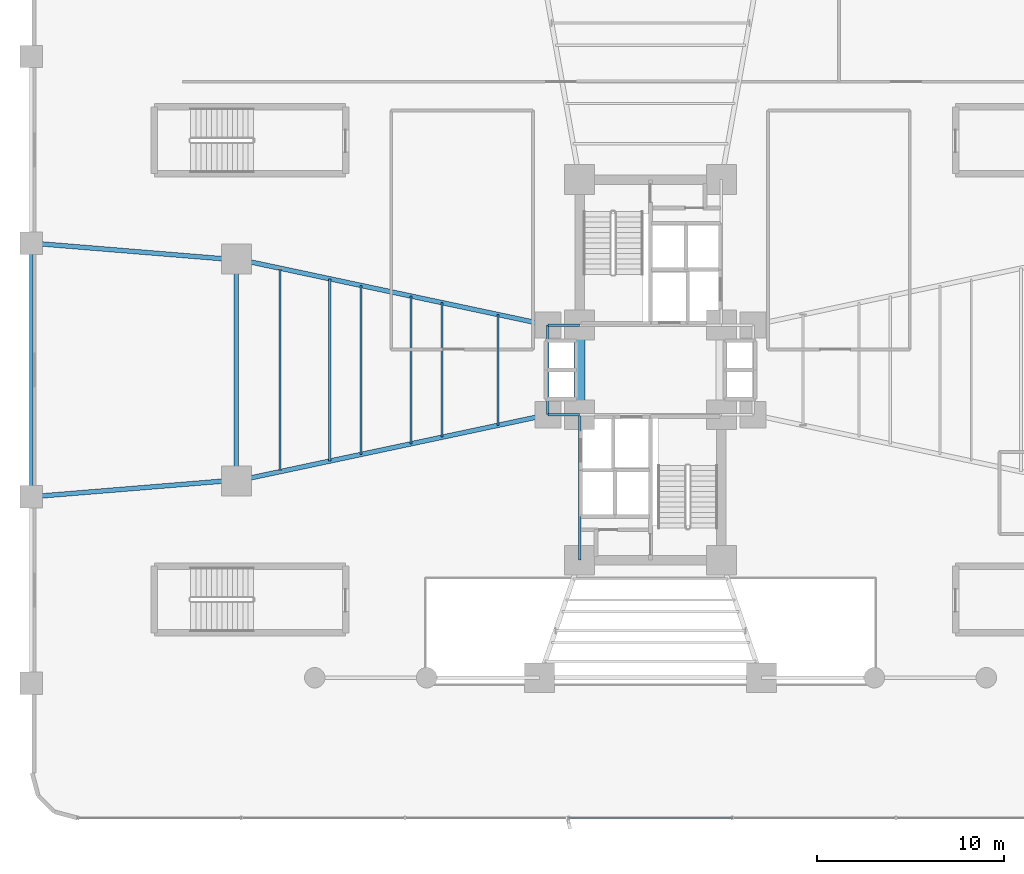
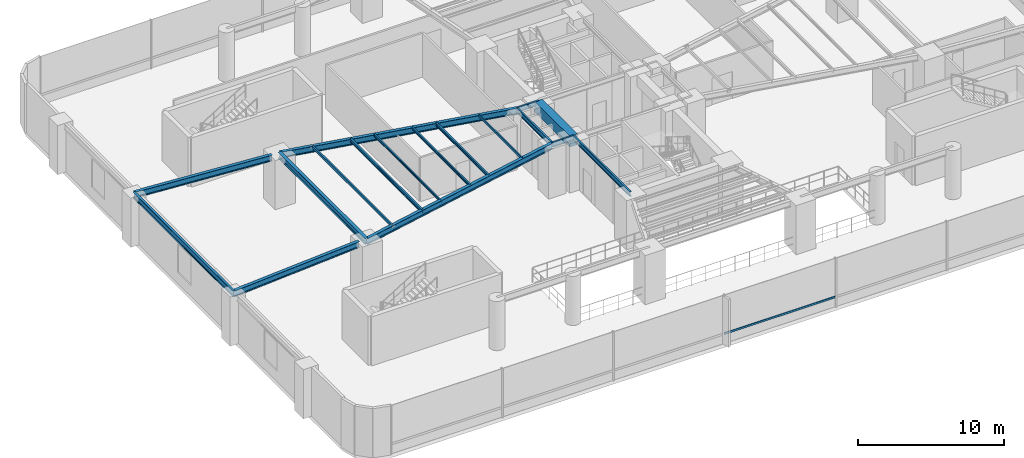
# One storey, part 5 of 23: 17 beams, 1 member, 1 element without a shape of its own.
"""IFC4 building model written with IfcOpenShell, lengths in metres."""

import ifcopenshell
import ifcopenshell.guid

model = None  # the IFC model being written
_history = None  # IfcOwnerHistory: only IFC2X3 demands one
_inside = {}  # id of a spatial element -> (the spatial element, [elements in it])
_under = {}  # id of a project, library or spatial element -> (it, [spatial elements below it])
_declared = {}  # id of a project -> (the project, [libraries it declares])
_typed = {}  # id of a type object -> (the type object, [elements of that type])
_made_of = {}  # id of a material, layer set ... -> (it, [elements and type objects made of it])


def new_model(schema):
    """Start an empty IFC model of exactly this schema.

    Asked for "IFC4X3", IfcOpenShell would pick the latest addendum, in which some entities
    have other attributes; the version numbers below select the first issue.
    IFC2X3 requires an IfcOwnerHistory on every rooted entity: one is made here for all.
    """
    global model, _history
    if schema == "IFC4X3":
        model = ifcopenshell.file(schema_version=(4, 3, 0, 0))
    else:
        model = ifcopenshell.file(schema=schema)
    _inside.clear()
    _under.clear()
    _declared.clear()
    _typed.clear()
    _made_of.clear()
    _history = None
    if model.schema == "IFC2X3":
        org = make("IfcOrganization", Name="unknown")
        user = make(
            "IfcPersonAndOrganization",
            ThePerson=make("IfcPerson", FamilyName="unknown"),
            TheOrganization=org,
        )
        app = make(
            "IfcApplication",
            ApplicationDeveloper=org,
            Version="unknown",
            ApplicationFullName="unknown",
            ApplicationIdentifier="unknown",
        )
        _history = make(
            "IfcOwnerHistory",
            OwningUser=user,
            OwningApplication=app,
            ChangeAction="ADDED",
            CreationDate=0,
        )
    return model


def make(cls, **values):
    """One entity of the class cls with the attributes given. An attribute that is None is left unset."""
    return model.create_entity(
        cls, **{name: value for name, value in values.items() if value is not None}
    )


def rooted(cls, **values):
    """An entity with a GlobalId (a new one), such as an element, a storey or a relation."""
    return make(cls, GlobalId=ifcopenshell.guid.new(), OwnerHistory=_history, **values)


def si_unit(unit_type, name, prefix=None):
    """IfcSIUnit, for example si_unit("LENGTHUNIT", "METRE", prefix="MILLI")."""
    return make("IfcSIUnit", UnitType=unit_type, Prefix=prefix, Name=name)


def assignment(units):
    """IfcUnitAssignment: the units of a project."""
    return None if units is None else make("IfcUnitAssignment", Units=units)


def point(xyz):
    """IfcCartesianPoint."""
    return None if xyz is None else make("IfcCartesianPoint", Coordinates=xyz)


def direction(xyz):
    """IfcDirection."""
    return None if xyz is None else make("IfcDirection", DirectionRatios=xyz)


def frame(location, z_axis=None, x_axis=None):
    """IfcAxis2Placement3D, a coordinate frame: its origin and axes. An axis left out is left unset."""
    return make(
        "IfcAxis2Placement3D",
        Location=point(location),
        Axis=direction(z_axis),
        RefDirection=direction(x_axis),
    )


def frame_2d(location, x_axis=None):
    """IfcAxis2Placement2D, a coordinate frame in the plane: its origin and x axis."""
    return make(
        "IfcAxis2Placement2D", Location=point(location), RefDirection=direction(x_axis)
    )


def origin():
    """The frame at (0, 0, 0) with its axes left unset."""
    return frame((0.0, 0.0, 0.0))


def origin_2d():
    """The frame at (0, 0) in the plane with its x axis left unset."""
    return frame_2d((0.0, 0.0))


def place(relative_to, where):
    """IfcLocalPlacement: puts the frame where relative to a parent placement (None: the world)."""
    return make(
        "IfcLocalPlacement", PlacementRelTo=relative_to, RelativePlacement=where
    )


def context(
    kind, dimensions, precision=None, world=None, true_north=None, identifier=None
):
    """IfcGeometricRepresentationContext, for example the 3D "Model" context."""
    return make(
        "IfcGeometricRepresentationContext",
        ContextIdentifier=identifier,
        ContextType=kind,
        CoordinateSpaceDimension=dimensions,
        Precision=precision,
        WorldCoordinateSystem=world,
        TrueNorth=true_north,
    )


def subcontext(parent, identifier, kind, view, scale=None):
    """IfcGeometricRepresentationSubContext, for example "Body" below "Model"."""
    return make(
        "IfcGeometricRepresentationSubContext",
        ContextIdentifier=identifier,
        ContextType=kind,
        ParentContext=parent,
        TargetScale=scale,
        TargetView=view,
    )


def project(units=None, contexts=None):
    """IfcProject with its units and contexts."""
    return rooted(
        "IfcProject",
        Name="project",
        RepresentationContexts=contexts,
        UnitsInContext=assignment(units),
    )


def spatial(cls, under=None, at=None, **own):
    """A site, building, storey or space (cls), placed at a placement, below another one or the project."""
    s = rooted(cls, ObjectPlacement=at, **own)
    if under is not None:
        _under.setdefault(under.id(), (under, []))[1].append(s)
    return s


def profile(cls, at=None, kind="AREA", **sizes):
    """A parametric profile (cls). Its sizes go by their IFC names, for example OverallWidth=200.0."""
    return make(cls, ProfileType=kind, Position=at, **sizes)


def rectangle(**sizes):
    """IfcRectangleProfileDef."""
    return profile("IfcRectangleProfileDef", **sizes)


def hollow_rectangle(**sizes):
    """IfcRectangleHollowProfileDef."""
    return profile("IfcRectangleHollowProfileDef", **sizes)


def i_section(**sizes):
    """IfcIShapeProfileDef."""
    return profile("IfcIShapeProfileDef", **sizes)


def extrude(swept, where, along, depth):
    """IfcExtrudedAreaSolid: the profile swept, set in the frame where, extruded along a direction by depth."""
    return make(
        "IfcExtrudedAreaSolid",
        SweptArea=swept,
        Position=where,
        ExtrudedDirection=direction(along),
        Depth=depth,
    )


def shape(context_of_items, identifier, shape_type, items):
    """IfcShapeRepresentation: the items that make up one representation, for example the "Body"."""
    return make(
        "IfcShapeRepresentation",
        ContextOfItems=context_of_items,
        RepresentationIdentifier=identifier,
        RepresentationType=shape_type,
        Items=items,
    )


def source(mapping_origin, context_of_items, identifier, shape_type, items):
    """IfcRepresentationMap: a shape defined once, which mapped items show again and again."""
    return make(
        "IfcRepresentationMap",
        MappingOrigin=mapping_origin,
        MappedRepresentation=shape(context_of_items, identifier, shape_type, items),
    )


def transform(
    local_origin,
    x_axis=None,
    y_axis=None,
    z_axis=None,
    scale=None,
    scale2=None,
    scale3=None,
    uniform=True,
):
    """IfcCartesianTransformationOperator3D, or its non-uniform kind. x_axis, y_axis, z_axis: its Axis1, 2, 3."""
    if uniform:
        return make(
            "IfcCartesianTransformationOperator3D",
            Axis1=direction(x_axis),
            Axis2=direction(y_axis),
            LocalOrigin=point(local_origin),
            Scale=scale,
            Axis3=direction(z_axis),
        )
    return make(
        "IfcCartesianTransformationOperator3DnonUniform",
        Axis1=direction(x_axis),
        Axis2=direction(y_axis),
        LocalOrigin=point(local_origin),
        Scale=scale,
        Axis3=direction(z_axis),
        Scale2=scale2,
        Scale3=scale3,
    )


def mapped(mapping_source, mapping_target):
    """IfcMappedItem: shows the shape of a source again, moved by a transform."""
    return make(
        "IfcMappedItem", MappingSource=mapping_source, MappingTarget=mapping_target
    )


def material(Name=None, Category=None):
    """IfcMaterial."""
    return make("IfcMaterial", Name=Name, Category=Category)


def material_profile(
    of_material, cross_section, Name=None, Category=None, Priority=None
):
    """IfcMaterialProfile: a cross section and its material."""
    return make(
        "IfcMaterialProfile",
        Name=Name,
        Material=of_material,
        Profile=cross_section,
        Priority=Priority,
        Category=Category,
    )


def profile_set(profiles, Name=None, composite=None):
    """IfcMaterialProfileSet."""
    return make(
        "IfcMaterialProfileSet",
        Name=Name,
        MaterialProfiles=profiles,
        CompositeProfile=composite,
    )


def made_of(thing, what):
    """Note that an element or type object is made of a material, layer set ...; save() writes the relation."""
    if what is not None:
        _made_of.setdefault(what.id(), (what, []))[1].append(thing)
    return thing


def type_object(cls, material=None, **own):
    """A type object (cls), such as IfcWallType, which elements share."""
    return made_of(rooted(cls, **own), material)


def element(
    cls,
    number,
    at=None,
    inside=None,
    cuts=None,
    type_object=None,
    material=None,
    context=None,
    identifier="Body",
    shape_type=None,
    held_by="IfcProductDefinitionShape",
    body=None,
    shapes=None,
    **own,
):
    """One element of the class cls, such as IfcWall. Its Tag is "e" and its number.

    at: its placement. inside: the storey or other place that contains it. cuts: it is an
    opening in that element (IfcRelVoidsElement). A single representation is given by context,
    identifier, shape_type and body (its items); several are given by shapes. held_by: the class
    of the entity that holds the representations. save() writes the other relations.
    """
    e = rooted(cls, Tag="e%d" % number, ObjectPlacement=at, **own)
    if body is not None:
        shapes = [shape(context, identifier, shape_type, body)]
    if shapes is not None:
        e.Representation = make(held_by, Representations=shapes)
    if inside is not None:
        _inside.setdefault(inside.id(), (inside, []))[1].append(e)
    if cuts is not None:
        rooted(
            "IfcRelVoidsElement", RelatingBuildingElement=cuts, RelatedOpeningElement=e
        )
    if type_object is not None:
        _typed.setdefault(type_object.id(), (type_object, []))[1].append(e)
    return made_of(e, material)


def aggregate(whole, parts):
    """IfcRelAggregates: a whole, such as a stair, and the parts it consists of."""
    return rooted("IfcRelAggregates", RelatingObject=whole, RelatedObjects=parts)


def save(model, path):
    """Write the relations noted so far, then the file.

    IfcRelAggregates (storeys below a building ...), IfcRelContainedInSpatialStructure (elements
    in a storey), IfcRelDefinesByType, IfcRelAssociatesMaterial and IfcRelDeclares: one each for
    every whole, place, type object, material and project.
    """
    for whole, parts in _under.values():
        aggregate(whole, parts)
    for where, things in _inside.values():
        rooted(
            "IfcRelContainedInSpatialStructure",
            RelatedElements=things,
            RelatingStructure=where,
        )
    for kind, things in _typed.values():
        rooted("IfcRelDefinesByType", RelatedObjects=things, RelatingType=kind)
    for what, things in _made_of.values():
        rooted("IfcRelAssociatesMaterial", RelatedObjects=things, RelatingMaterial=what)
    for by, libraries in _declared.values():
        rooted("IfcRelDeclares", RelatingContext=by, RelatedDefinitions=libraries)
    model.write(path)


model = new_model("IFC4")

# Units and contexts
model_context = context("Model", 3, precision=1e-05, world=origin(), true_north=direction((0.0, 1.0)))
body_context = subcontext(model_context, "Body", "Model", "MODEL_VIEW")
ifc_project = project(units=[si_unit("LENGTHUNIT", "METRE"), si_unit("AREAUNIT", "SQUARE_METRE"), si_unit("VOLUMEUNIT", "CUBIC_METRE"), si_unit("PLANEANGLEUNIT", "RADIAN"), si_unit("MASSUNIT", "GRAM", prefix="KILO")], contexts=[model_context])

# Site, building, storey
site_placement = place(None, origin())
site = spatial("IfcSite", under=ifc_project, at=site_placement, CompositionType="ELEMENT")
building_placement = place(site_placement, origin())
building = spatial("IfcBuilding", under=site, at=building_placement, Name="Sahyath Konkavel Grand Hotel", CompositionType="ELEMENT")
storey_placement = place(building_placement, frame((0.0, 0.0, 4.800048828125)))
storey = spatial("IfcBuildingStorey", under=building, at=storey_placement, Name="L01", CompositionType="ELEMENT", Elevation=4.800048828125)

# Beams
ifc_material_1 = material(Name="Concrete C70/85", Category="concrete")
ifc_material_profile_1 = material_profile(ifc_material_1, rectangle(XDim=0.60009765625, YDim=0.89990234375, at=origin_2d()), Name="RC 600x900")
ifc_profile_set_1 = profile_set([ifc_material_profile_1], Name="Concrete C70/85")
beam_type_1 = type_object("IfcBeamType", Name="BM-CB600x900", PredefinedType="LINTEL", material=ifc_profile_set_1)
shared_shape_1 = source(origin(), body_context, "Body", "SweptSolid", [
    extrude(rectangle(XDim=0.60009765625, YDim=0.89990234375, at=origin_2d()), origin(), (0.0, 0.0, 1.0), 4.7998046875),
])
beam_1_placement = place(storey_placement, frame((-3.800048828125, -2.39990234375, 3.64990234375), z_axis=(0.0, 1.0, 0.0), x_axis=(-1.0, 0.0, 0.0)))
element("IfcBeam", 1, at=beam_1_placement, inside=storey, type_object=beam_type_1, Name="L01 Split-Core Coupling Beam West", PredefinedType="LINTEL", context=body_context, shape_type="MappedRepresentation", body=[
    mapped(shared_shape_1, transform((0.0, 0.0, 0.0), scale=1.0)),
])
ifc_material_2 = material(Name="Steel E350", Category="steel")
ifc_material_profile_2 = material_profile(ifc_material_2, i_section(OverallWidth=0.139892578125, OverallDepth=0.39990234375, WebThickness=0.0087890625, FlangeThickness=0.01611328125, FilletRadius=0.013916015625, at=origin_2d()), Name="ISMB 400")
ifc_profile_set_2 = profile_set([ifc_material_profile_2], Name="Steel E350")
beam_type_2 = type_object("IfcBeamType", Name="BM-ISMB400", PredefinedType="BEAM", material=ifc_profile_set_2)
shared_shape_2 = source(origin(), body_context, "Body", "SweptSolid", [
    extrude(i_section(OverallWidth=0.139892578125, OverallDepth=0.39990234375, WebThickness=0.0087890625, FlangeThickness=0.01611328125, FilletRadius=0.013916015625, at=origin_2d()), origin(), (0.0, 0.0, 1.0), 7.800048828125),
])
beam_2_placement = place(storey_placement, frame((-3.800048828125, -10.199951171875, 3.89990234375), z_axis=(0.0, 1.0, 0.0), x_axis=(-1.0, 0.0, 0.0)))
element("IfcBeam", 2, at=beam_2_placement, inside=storey, type_object=beam_type_2, Name="str:bm:L01:SC-W", PredefinedType="BEAM", context=body_context, shape_type="MappedRepresentation", body=[
    mapped(shared_shape_2, transform((0.0, 0.0, 0.0), scale=1.0)),
])
shared_shape_3 = source(origin(), body_context, "Body", "SweptSolid", [
    extrude(i_section(OverallWidth=0.139892578125, OverallDepth=0.39990234375, WebThickness=0.0087890625, FlangeThickness=0.01611328125, FilletRadius=0.013916015625, at=origin_2d()), origin(), (0.0, 0.0, 1.0), 1.699951171875),
])
for number, where, z_axis, x_axis, name in (
    (3, (-5.5, 2.39990234375, 3.89990234375), (1.0, 0.0, 0.0), (0.0, 1.0, 0.0), "str:bm:L01:HB-NW"),
    (4, (-5.5, -2.39990234375, 3.89990234375), (1.0, 0.0, 0.0), (0.0, 1.0, 0.0), "str:bm:L01:HB-SW"),
):
    element("IfcBeam", number, at=place(storey_placement, frame(where, z_axis=z_axis, x_axis=x_axis)), inside=storey, type_object=beam_type_2, Name=name, PredefinedType="BEAM", context=body_context, shape_type="MappedRepresentation", body=[
        mapped(shared_shape_3, transform((0.0, 0.0, 0.0), scale=1.0)),
    ])
shared_shape_4 = source(origin(), body_context, "Body", "SweptSolid", [
    extrude(i_section(OverallWidth=0.139892578125, OverallDepth=0.39990234375, WebThickness=0.0087890625, FlangeThickness=0.01611328125, FilletRadius=0.013916015625, at=origin_2d()), origin(), (0.0, 0.0, 1.0), 4.7998046875),
])
beam_3_placement = place(storey_placement, frame((-5.5, -2.39990234375, 3.89990234375), z_axis=(0.0, 1.0, 0.0), x_axis=(-1.0, 0.0, 0.0)))
element("IfcBeam", 5, at=beam_3_placement, inside=storey, type_object=beam_type_2, Name="str:bm:L01:HB-W", PredefinedType="BEAM", context=body_context, shape_type="MappedRepresentation", body=[
    mapped(shared_shape_4, transform((0.0, 0.0, 0.0), scale=1.0)),
])
ifc_material_profile_3 = material_profile(ifc_material_2, i_section(OverallWidth=0.25, OverallDepth=0.5, WebThickness=0.010009765625, FlangeThickness=0.0146484375, FilletRadius=0.014892578125, at=origin_2d()), Name="ISWB 500")
ifc_profile_set_3 = profile_set([ifc_material_profile_3], Name="Steel E350")
beam_type_3 = type_object("IfcBeamType", Name="BM-ISWB500", PredefinedType="BEAM", material=ifc_profile_set_3)
shared_shape_5 = source(origin(), body_context, "Body", "SweptSolid", [
    extrude(i_section(OverallWidth=0.25, OverallDepth=0.5, WebThickness=0.010009765625, FlangeThickness=0.0146484375, FilletRadius=0.014892578125, at=origin_2d()), origin(), (0.0, 0.0, 1.0), 17.072998046875),
])
for number, where, z_axis, x_axis, name in (
    (6, (-5.5, 2.39990234375, 3.849853515625), (-0.978143257225, 0.20793212437, 0.0), (-0.20793212437, -0.978143257225, 0.0), "L01 Podium Primary Girder WA"),
    (7, (-5.5, -2.39990234375, 3.849853515625), (-0.978143257225, -0.20793212437, 0.0), (0.20793212437, -0.978143257225, 0.0), "L01 Podium Primary Girder WB"),
):
    element("IfcBeam", number, at=place(storey_placement, frame(where, z_axis=z_axis, x_axis=x_axis)), inside=storey, type_object=beam_type_3, Name=name, PredefinedType="BEAM", context=body_context, shape_type="MappedRepresentation", body=[
        mapped(shared_shape_5, transform((0.0, 0.0, 0.0), scale=1.0)),
    ])
shared_shape_6 = source(origin(), body_context, "Body", "SweptSolid", [
    extrude(i_section(OverallWidth=0.25, OverallDepth=0.5, WebThickness=0.010009765625, FlangeThickness=0.0146484375, FilletRadius=0.014892578125, at=origin_2d()), origin(), (0.0, 0.0, 1.0), 11.89990234375),
])
beam_4_placement = place(storey_placement, frame((-22.199951171875, 5.949951171875, 3.849853515625), z_axis=(0.0, -1.0, 0.0), x_axis=(1.0, 0.0, 0.0)))
element("IfcBeam", 8, at=beam_4_placement, inside=storey, type_object=beam_type_3, Name="L01 Podium Primary Girder Tie W", PredefinedType="BEAM", context=body_context, shape_type="MappedRepresentation", body=[
    mapped(shared_shape_6, transform((0.0, 0.0, 0.0), scale=1.0)),
])
shared_shape_7 = source(origin(), body_context, "Body", "SweptSolid", [
    extrude(i_section(OverallWidth=0.25, OverallDepth=0.5, WebThickness=0.010009765625, FlangeThickness=0.0146484375, FilletRadius=0.014892578125, at=origin_2d()), origin(), (0.0, 0.0, 1.0), 10.4345703125),
])
for number, where, z_axis, x_axis, name in (
    (9, (-33.199951171875, -6.800048828125, 3.849853515625), (0.996675859081, 0.081469208445, 0.0), (-0.081469208445, 0.996675859081, 0.0), "str:bm:L01:POD-15"),
    (10, (-33.199951171875, 6.800048828125, 3.849853515625), (0.996675859081, -0.081469208445, 0.0), (0.081469208445, 0.996675859081, 0.0), "str:bm:L01:POD-17"),
):
    element("IfcBeam", number, at=place(storey_placement, frame(where, z_axis=z_axis, x_axis=x_axis)), inside=storey, type_object=beam_type_3, Name=name, PredefinedType="BEAM", context=body_context, shape_type="MappedRepresentation", body=[
        mapped(shared_shape_7, transform((0.0, 0.0, 0.0), scale=1.0)),
    ])
ifc_material_profile_4 = material_profile(ifc_material_2, i_section(OverallWidth=0.179931640625, OverallDepth=0.5, WebThickness=0.01025390625, FlangeThickness=0.01708984375, FilletRadius=0.01708984375, at=origin_2d()), Name="ISMB 500")
ifc_profile_set_4 = profile_set([ifc_material_profile_4], Name="Steel E350")
beam_type_4 = type_object("IfcBeamType", Name="BM-ISMB500", PredefinedType="BEAM", material=ifc_profile_set_4)
shared_shape_8 = source(origin(), body_context, "Body", "SweptSolid", [
    extrude(i_section(OverallWidth=0.179931640625, OverallDepth=0.5, WebThickness=0.01025390625, FlangeThickness=0.01708984375, FilletRadius=0.01708984375, at=origin_2d()), origin(), (0.0, 0.0, 1.0), 13.60009765625),
])
beam_5_placement = place(storey_placement, frame((-33.199951171875, -6.800048828125, 3.849853515625), z_axis=(0.0, 1.0, 0.0), x_axis=(-1.0, 0.0, 0.0)))
element("IfcBeam", 11, at=beam_5_placement, inside=storey, type_object=beam_type_4, Name="str:bm:L01:POD-16", PredefinedType="BEAM", context=body_context, shape_type="MappedRepresentation", body=[
    mapped(shared_shape_8, transform((0.0, 0.0, 0.0), scale=1.0)),
])
ifc_material_profile_5 = material_profile(ifc_material_2, hollow_rectangle(XDim=0.090087890625, YDim=0.179931640625, WallThickness=0.008056640625, at=origin_2d()), Name="RHS 180x90x8")
ifc_profile_set_5 = profile_set([ifc_material_profile_5], Name="Steel E350")
beam_type_5 = type_object("IfcBeamType", Name="BM-RHS180", PredefinedType="BEAM", material=ifc_profile_set_5)
shared_shape_9 = source(origin(), body_context, "Body", "SweptSolid", [
    extrude(hollow_rectangle(XDim=0.090087890625, YDim=0.179931640625, WallThickness=0.008056640625, at=origin_2d()), origin(), (0.0, 0.0, 1.0), 5.93603515625),
])
beam_6_placement = place(storey_placement, frame((-8.172119140625, 2.968017578125, 4.010009765625), z_axis=(0.0, -1.0, 0.0), x_axis=(1.0, 0.0, 0.0)))
element("IfcBeam", 12, at=beam_6_placement, inside=storey, type_object=beam_type_5, Name="L01 Composite Deck Sub-Beam W-1", PredefinedType="BEAM", context=body_context, shape_type="MappedRepresentation", body=[
    mapped(shared_shape_9, transform((0.0, 0.0, 0.0), scale=1.0)),
])
ifc_material_profile_6 = material_profile(ifc_material_2, i_section(OverallWidth=0.125, OverallDepth=0.25, WebThickness=0.0068359375, FlangeThickness=0.012451171875, FilletRadius=0.012939453125, at=origin_2d()), Name="ISMB 250")
ifc_profile_set_6 = profile_set([ifc_material_profile_6], Name="Steel E350")
beam_type_6 = type_object("IfcBeamType", Name="BM-ISMB250", PredefinedType="BEAM", material=ifc_profile_set_6)
shared_shape_10 = source(origin(), body_context, "Body", "SweptSolid", [
    extrude(i_section(OverallWidth=0.125, OverallDepth=0.25, WebThickness=0.0068359375, FlangeThickness=0.012451171875, FilletRadius=0.012939453125, at=origin_2d()), origin(), (0.0, 0.0, 1.0), 7.2138671875),
])
beam_7_placement = place(storey_placement, frame((-11.177978515625, 3.60693359375, 3.974853515625), z_axis=(0.0, -1.0, 0.0), x_axis=(1.0, 0.0, 0.0)))
element("IfcBeam", 13, at=beam_7_placement, inside=storey, type_object=beam_type_6, Name="L01 Composite Deck Sub-Beam W-2", PredefinedType="BEAM", context=body_context, shape_type="MappedRepresentation", body=[
    mapped(shared_shape_10, transform((0.0, 0.0, 0.0), scale=1.0)),
])
ifc_material_profile_7 = material_profile(ifc_material_2, i_section(OverallWidth=0.110107421875, OverallDepth=0.22509765625, WebThickness=0.006591796875, FlangeThickness=0.01171875, FilletRadius=0.011962890625, at=origin_2d()), Name="ISMB 225")
ifc_profile_set_7 = profile_set([ifc_material_profile_7], Name="Steel E350")
beam_type_7 = type_object("IfcBeamType", Name="BM-ISMB225", PredefinedType="BEAM", material=ifc_profile_set_7)
shared_shape_11 = source(origin(), body_context, "Body", "SweptSolid", [
    extrude(i_section(OverallWidth=0.110107421875, OverallDepth=0.22509765625, WebThickness=0.006591796875, FlangeThickness=0.01171875, FilletRadius=0.011962890625, at=origin_2d()), origin(), (0.0, 0.0, 1.0), 7.923828125),
])
beam_8_placement = place(storey_placement, frame((-12.847900390625, 3.9619140625, 3.987548828125), z_axis=(0.0, -1.0, 0.0), x_axis=(1.0, 0.0, 0.0)))
element("IfcBeam", 14, at=beam_8_placement, inside=storey, type_object=beam_type_7, Name="L01 Composite Deck Sub-Beam W-3", PredefinedType="BEAM", context=body_context, shape_type="MappedRepresentation", body=[
    mapped(shared_shape_11, transform((0.0, 0.0, 0.0), scale=1.0)),
])
ifc_material_profile_8 = material_profile(ifc_material_2, i_section(OverallWidth=0.10009765625, OverallDepth=0.199951171875, WebThickness=0.005615234375, FlangeThickness=0.0107421875, FilletRadius=0.010986328125, at=origin_2d()), Name="ISMB 200")
ifc_profile_set_8 = profile_set([ifc_material_profile_8], Name="Steel E350")
beam_type_8 = type_object("IfcBeamType", Name="BM-ISMB200", PredefinedType="BEAM", material=ifc_profile_set_8)
shared_shape_12 = source(origin(), body_context, "Body", "SweptSolid", [
    extrude(i_section(OverallWidth=0.10009765625, OverallDepth=0.199951171875, WebThickness=0.005615234375, FlangeThickness=0.0107421875, FilletRadius=0.010986328125, at=origin_2d()), origin(), (0.0, 0.0, 1.0), 9.06005859375),
])
beam_9_placement = place(storey_placement, frame((-15.52001953125, 4.530029296875, 4.0), z_axis=(0.0, -1.0, 0.0), x_axis=(1.0, 0.0, 0.0)))
element("IfcBeam", 15, at=beam_9_placement, inside=storey, type_object=beam_type_8, Name="L01 Composite Deck Sub-Beam W-4", PredefinedType="BEAM", context=body_context, shape_type="MappedRepresentation", body=[
    mapped(shared_shape_12, transform((0.0, 0.0, 0.0), scale=1.0)),
])
ifc_material_profile_9 = material_profile(ifc_material_2, i_section(OverallWidth=0.139892578125, OverallDepth=0.27490234375, WebThickness=0.00634765625, FlangeThickness=0.0087890625, FilletRadius=0.012939453125, at=origin_2d()), Name="ISLB 275")
ifc_profile_set_9 = profile_set([ifc_material_profile_9], Name="Steel E350")
beam_type_9 = type_object("IfcBeamType", Name="BM-ISLB275", PredefinedType="BEAM", material=ifc_profile_set_9)
shared_shape_13 = source(origin(), body_context, "Body", "SweptSolid", [
    extrude(i_section(OverallWidth=0.139892578125, OverallDepth=0.27490234375, WebThickness=0.00634765625, FlangeThickness=0.0087890625, FilletRadius=0.012939453125, at=origin_2d()), origin(), (0.0, 0.0, 1.0), 9.77001953125),
])
beam_10_placement = place(storey_placement, frame((-17.18994140625, 4.885009765625, 3.96240234375), z_axis=(0.0, -1.0, 0.0), x_axis=(1.0, 0.0, 0.0)))
element("IfcBeam", 16, at=beam_10_placement, inside=storey, type_object=beam_type_9, Name="L01 Composite Deck Sub-Beam W-5", PredefinedType="BEAM", context=body_context, shape_type="MappedRepresentation", body=[
    mapped(shared_shape_13, transform((0.0, 0.0, 0.0), scale=1.0)),
])
ifc_material_profile_10 = material_profile(ifc_material_2, hollow_rectangle(XDim=0.1201171875, YDim=0.219970703125, WallThickness=0.010009765625, at=origin_2d()), Name="RHS 220x120x10")
ifc_profile_set_10 = profile_set([ifc_material_profile_10], Name="Steel E350")
beam_type_10 = type_object("IfcBeamType", Name="BM-RHS220", PredefinedType="BEAM", material=ifc_profile_set_10)
shared_shape_14 = source(origin(), body_context, "Body", "SweptSolid", [
    extrude(hollow_rectangle(XDim=0.1201171875, YDim=0.219970703125, WallThickness=0.010009765625, at=origin_2d()), origin(), (0.0, 0.0, 1.0), 10.90576171875),
])
beam_11_placement = place(storey_placement, frame((-19.862060546875, 5.452880859375, 3.989990234375), z_axis=(0.0, -1.0, 0.0), x_axis=(1.0, 0.0, 0.0)))
element("IfcBeam", 17, at=beam_11_placement, inside=storey, type_object=beam_type_10, Name="L01 Composite Deck Sub-Beam W-6", PredefinedType="BEAM", context=body_context, shape_type="MappedRepresentation", body=[
    mapped(shared_shape_14, transform((0.0, 0.0, 0.0), scale=1.0)),
])

# Curtain wall, member
ifc_material_3 = material(Name="Anodised Bronze Aluminium & Low-E Glazing", Category="aluminium")
curtain_wall_type = type_object("IfcCurtainWallType", Name="CW-PODIUM", PredefinedType="NOTDEFINED", material=ifc_material_3)
curtain_wall_placement = place(storey_placement, origin())
curtain_wall = element("IfcCurtainWall", 18, at=curtain_wall_placement, inside=storey, type_object=curtain_wall_type, Name="L01 Unitised Curtain Wall S", PredefinedType="NOTDEFINED")
ifc_material_4 = material(Name="Anodised Bronze Aluminium", Category="aluminium")
ifc_material_profile_11 = material_profile(ifc_material_4, hollow_rectangle(XDim=0.080078125, YDim=0.159912109375, WallThickness=0.006103515625, at=origin_2d()), Name="RHS 160x80x6")
ifc_profile_set_11 = profile_set([ifc_material_profile_11], Name="Anodised Bronze Aluminium")
member_type = type_object("IfcMemberType", Name="CW-TRN-160", PredefinedType="USERDEFINED", material=ifc_profile_set_11)
shared_shape_15 = source(origin(), body_context, "Body", "SweptSolid", [
    extrude(hollow_rectangle(XDim=0.080078125, YDim=0.159912109375, WallThickness=0.006103515625, at=origin_2d()), origin(), (0.0, 0.0, 1.0), 8.77490234375),
])
member_placement = place(storey_placement, frame((-4.387451171875, -24.012939453125, 0.849853515625), z_axis=(1.0, 0.0, 0.0), x_axis=(0.0, 1.0, 0.0)))
member = element("IfcMember", 19, at=member_placement, type_object=member_type, Name="L01 Curtain Wall Transom S-3-spandrel", ObjectType="TRANSOM", PredefinedType="USERDEFINED", context=body_context, shape_type="MappedRepresentation", body=[
    mapped(shared_shape_15, transform((0.0, 0.0, 0.0), scale=1.0)),
])
aggregate(curtain_wall, [member])

save(model, "model.ifc")
